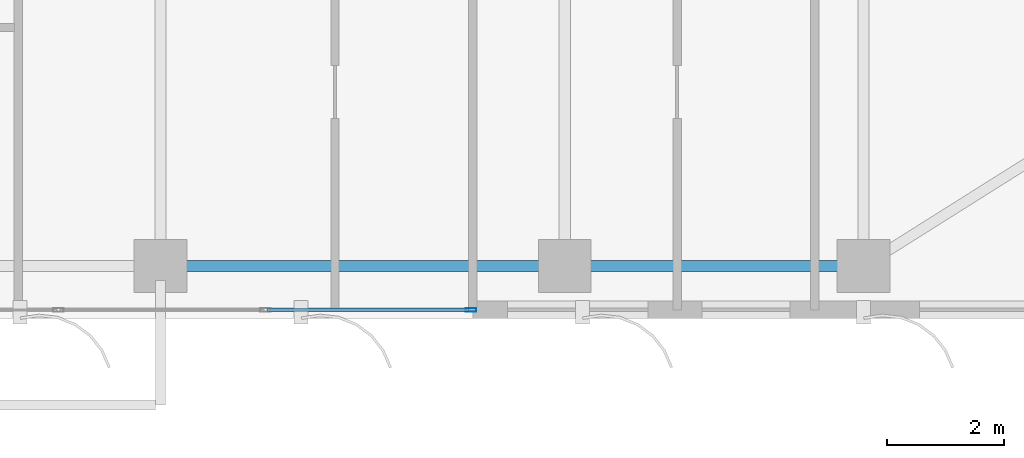
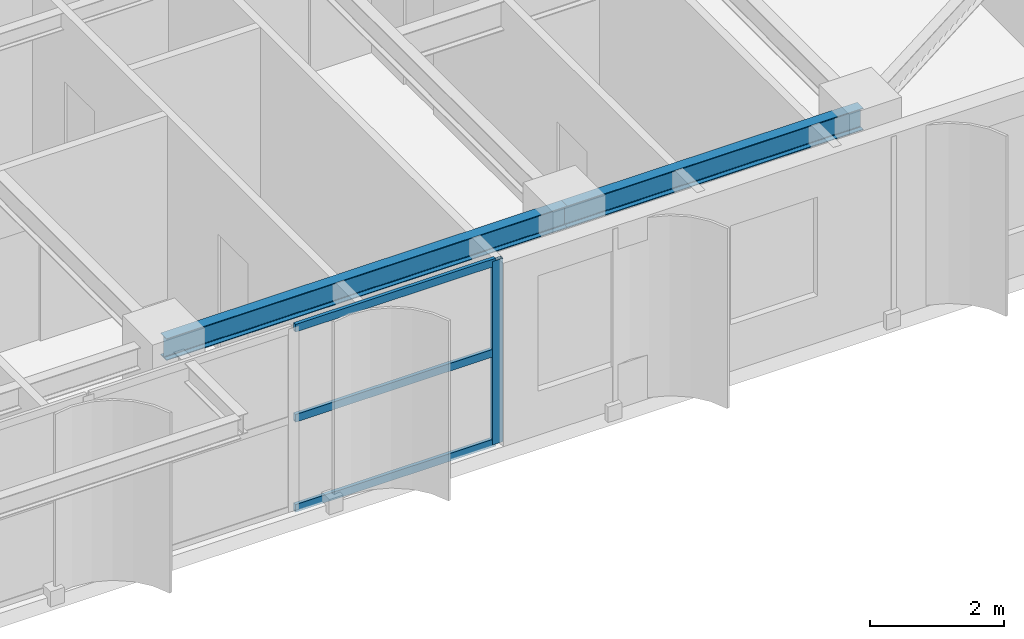
# One storey, part 3 of 23: 4 members, 2 beams, 1 element without a shape of its own.
"""IFC4 building model written with IfcOpenShell, lengths in metres."""

from ifc_helpers import new_model, si_unit, direction, frame, origin, origin_2d, place, context, subcontext, project, spatial, hollow_rectangle, i_section, extrude, source, transform, mapped, material, layer, layer_set, material_profile, profile_set, type_object, element, aggregate, save


model = new_model("IFC4")

# Units and contexts
model_context = context("Model", 3, precision=1e-05, world=origin(), true_north=direction((0.0, 1.0)))
body_context = subcontext(model_context, "Body", "Model", "MODEL_VIEW")
ifc_project = project(units=[si_unit("LENGTHUNIT", "METRE"), si_unit("AREAUNIT", "SQUARE_METRE"), si_unit("VOLUMEUNIT", "CUBIC_METRE"), si_unit("PLANEANGLEUNIT", "RADIAN"), si_unit("MASSUNIT", "GRAM", prefix="KILO")], contexts=[model_context])

# Site, building, storey
site_placement = place(None, origin())
site = spatial("IfcSite", under=ifc_project, at=site_placement, CompositionType="ELEMENT")
building_placement = place(site_placement, origin())
building = spatial("IfcBuilding", under=site, at=building_placement, Name="Khoralis Quay Care Tower", CompositionType="ELEMENT")
storey_placement = place(building_placement, frame((0.0, 0.0, 173.699951171875)))
storey = spatial("IfcBuildingStorey", under=building, at=storey_placement, Name="L45", CompositionType="ELEMENT", Elevation=173.699951171875)

# Beams
ifc_material_1 = material(Name="Steel S355", Category="steel")
ifc_material_profile_1 = material_profile(ifc_material_1, i_section(OverallWidth=0.179931640625, OverallDepth=0.39990234375, WebThickness=0.008544921875, FlangeThickness=0.013427734375, FilletRadius=0.02099609375, at=origin_2d()), Name="Steel S355")
ifc_profile_set_1 = profile_set([ifc_material_profile_1], Name="Steel S355")
beam_type = type_object("IfcBeamType", Name="BM-IPE400", PredefinedType="SPANDREL", material=ifc_profile_set_1)
shared_shape_1 = source(origin(), body_context, "Body", "SweptSolid", [
    extrude(i_section(OverallWidth=0.179931640625, OverallDepth=0.39990234375, WebThickness=0.008544921875, FlangeThickness=0.013427734375, FilletRadius=0.02099609375, at=origin_2d()), origin(), (0.0, 0.0, 1.0), 5.10009765625),
])
beam_1_placement = place(storey_placement, frame((30.89990234375, 0.89990234375, 3.14013671875), z_axis=(1.0, 0.0, 0.0), x_axis=(0.0, 1.0, 0.0)))
element("IfcBeam", 1, at=beam_1_placement, inside=storey, type_object=beam_type, Name="BM-TSP-L45-04", PredefinedType="SPANDREL", context=body_context, shape_type="MappedRepresentation", body=[
    mapped(shared_shape_1, transform((0.0, 0.0, 0.0), scale=1.0)),
])
shared_shape_2 = source(origin(), body_context, "Body", "SweptSolid", [
    extrude(i_section(OverallWidth=0.179931640625, OverallDepth=0.39990234375, WebThickness=0.008544921875, FlangeThickness=0.013427734375, FilletRadius=0.02099609375, at=origin_2d()), origin(), (0.0, 0.0, 1.0), 6.89990234375),
])
beam_2_placement = place(storey_placement, frame((24.0, 0.89990234375, 3.14013671875), z_axis=(1.0, 0.0, 0.0), x_axis=(0.0, 1.0, 0.0)))
element("IfcBeam", 2, at=beam_2_placement, inside=storey, type_object=beam_type, Name="BM-TSP-L45-03", PredefinedType="SPANDREL", context=body_context, shape_type="MappedRepresentation", body=[
    mapped(shared_shape_2, transform((0.0, 0.0, 0.0), scale=1.0)),
])

# Curtain wall, members
ifc_material_2 = material(Name="Pale anodised aluminium", Category="aluminium")
ifc_layer = layer(ifc_material_2, 0.159912109375)
ifc_layer_set = layer_set([ifc_layer], Name="Pale anodised aluminium")
curtain_wall_type = type_object("IfcCurtainWallType", Name="CW-SYS-Z3", PredefinedType="NOTDEFINED", material=ifc_layer_set)
curtain_wall_placement = place(storey_placement, origin())
curtain_wall = element("IfcCurtainWall", 3, at=curtain_wall_placement, inside=storey, type_object=curtain_wall_type, Name="L45 Unitised Curtain Wall CW-L45-P1-E0", PredefinedType="NOTDEFINED")
ifc_material_profile_2 = material_profile(ifc_material_2, hollow_rectangle(XDim=0.06494140625, YDim=0.179931640625, WallThickness=0.00390625, at=origin_2d()), Name="Pale anodised aluminium")
ifc_profile_set_2 = profile_set([ifc_material_profile_2], Name="Pale anodised aluminium")
member_type_1 = type_object("IfcMemberType", Name="CW-MUL-180", PredefinedType="MULLION", material=ifc_profile_set_2)
shared_shape_3 = source(origin(), body_context, "Body", "SweptSolid", [
    extrude(hollow_rectangle(XDim=0.06494140625, YDim=0.179931640625, WallThickness=0.00390625, at=origin_2d()), origin(), (0.0, 0.0, 1.0), 3.340087890625),
])
member_1_placement = place(storey_placement, frame((29.300048828125, 0.14990234375, 0.0), z_axis=(0.0, 0.0, 1.0), x_axis=(0.0, 1.0, 0.0)))
member_1 = element("IfcMember", 4, at=member_1_placement, type_object=member_type_1, Name="CW3 mullion 4", PredefinedType="MULLION", context=body_context, shape_type="MappedRepresentation", body=[
    mapped(shared_shape_3, transform((0.0, 0.0, 0.0), scale=1.0)),
])
ifc_material_profile_3 = material_profile(ifc_material_2, hollow_rectangle(XDim=0.06005859375, YDim=0.139892578125, WallThickness=0.00390625, at=origin_2d()), Name="Pale anodised aluminium")
ifc_profile_set_3 = profile_set([ifc_material_profile_3], Name="Pale anodised aluminium")
member_type_2 = type_object("IfcMemberType", Name="CW-TRN-140", PredefinedType="USERDEFINED", material=ifc_profile_set_3)
shared_shape_4 = source(origin(), body_context, "Body", "SweptSolid", [
    extrude(hollow_rectangle(XDim=0.06005859375, YDim=0.139892578125, WallThickness=0.00390625, at=origin_2d()), origin(), (0.0, 0.0, 1.0), 3.447021484375),
])
member_2_placement = place(storey_placement, frame((25.822998046875, 0.14990234375, 0.030029296875), z_axis=(1.0, 0.0, 0.0), x_axis=(0.0, 1.0, 0.0)))
member_2 = element("IfcMember", 5, at=member_2_placement, type_object=member_type_2, Name="CW3 transom 3.1", ObjectType="TRANSOM", PredefinedType="USERDEFINED", context=body_context, shape_type="MappedRepresentation", body=[
    mapped(shared_shape_4, transform((0.0, 0.0, 0.0), scale=1.0)),
])
member_3_placement = place(storey_placement, frame((25.822998046875, 0.14990234375, 1.670166015625), z_axis=(1.0, 0.0, 0.0), x_axis=(0.0, 1.0, 0.0)))
member_3 = element("IfcMember", 6, at=member_3_placement, type_object=member_type_2, Name="CW3 transom 3.2", ObjectType="TRANSOM", PredefinedType="USERDEFINED", context=body_context, shape_type="MappedRepresentation", body=[
    mapped(shared_shape_4, transform((0.0, 0.0, 0.0), scale=1.0)),
])
member_4_placement = place(storey_placement, frame((25.822998046875, 0.14990234375, 3.31005859375), z_axis=(1.0, 0.0, 0.0), x_axis=(0.0, 1.0, 0.0)))
member_4 = element("IfcMember", 7, at=member_4_placement, type_object=member_type_2, Name="CW3 transom 3.3", ObjectType="TRANSOM", PredefinedType="USERDEFINED", context=body_context, shape_type="MappedRepresentation", body=[
    mapped(shared_shape_4, transform((0.0, 0.0, 0.0), scale=1.0)),
])
aggregate(curtain_wall, [member_1, member_2, member_3, member_4])

save(model, "model.ifc")
